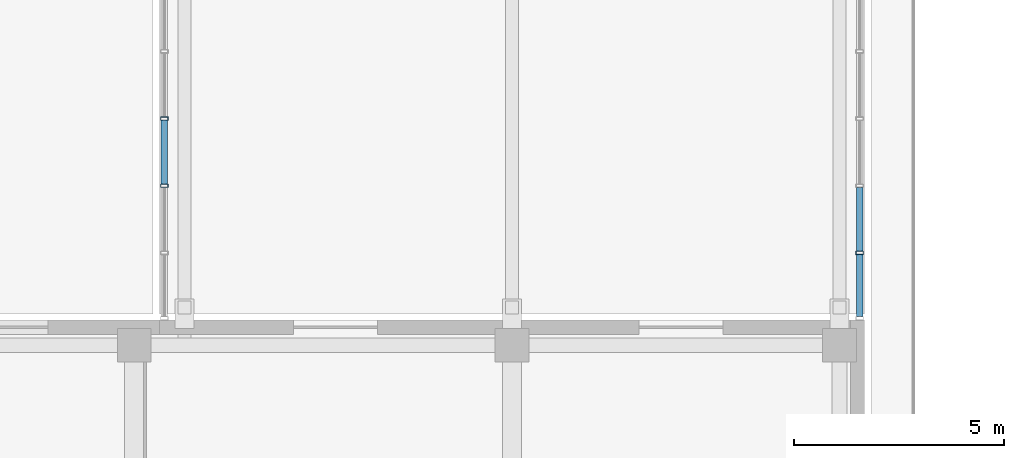
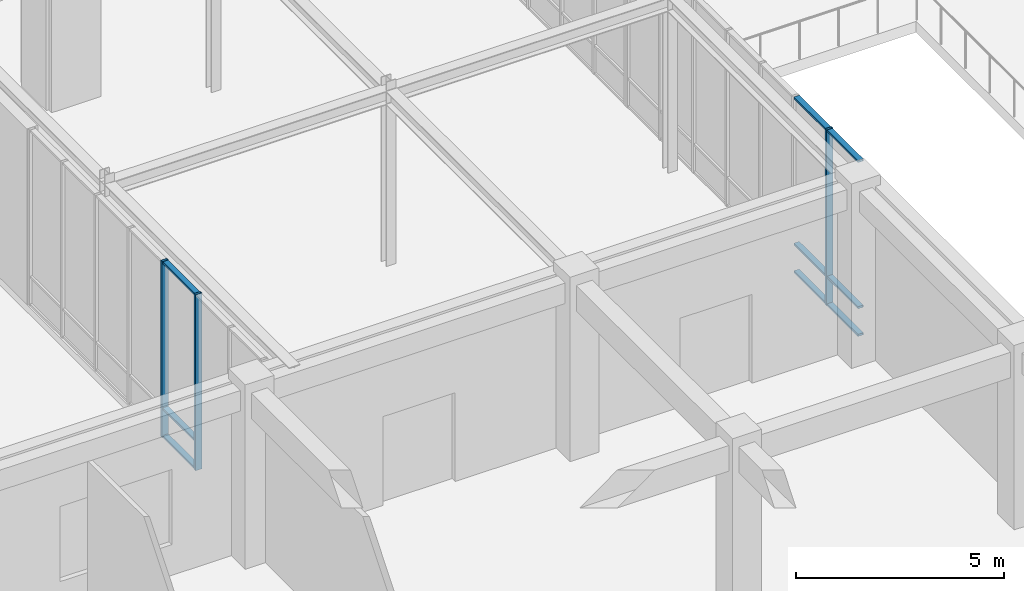
# One storey, part 16 of 122: 12 members, 2 elements without a shape of their own.
"""IFC4 building model written with IfcOpenShell, lengths in metres."""

from ifc_helpers import new_model, si_unit, direction, frame, origin, origin_2d, place, context, subcontext, project, spatial, hollow_rectangle, extrude, material, layer, layer_set, material_profile, profile_set, type_object, element, aggregate, save


model = new_model("IFC4")

# Units and contexts
model_context = context("Model", 3, precision=1e-05, world=origin(), true_north=direction((0.0, 1.0)))
body_context = subcontext(model_context, "Body", "Model", "MODEL_VIEW")
ifc_project = project(units=[si_unit("LENGTHUNIT", "METRE"), si_unit("AREAUNIT", "SQUARE_METRE"), si_unit("VOLUMEUNIT", "CUBIC_METRE"), si_unit("PLANEANGLEUNIT", "RADIAN"), si_unit("MASSUNIT", "GRAM", prefix="KILO")], contexts=[model_context])

# Site, building, storey
site_placement = place(None, origin())
site = spatial("IfcSite", under=ifc_project, at=site_placement, CompositionType="ELEMENT")
building_placement = place(site_placement, origin())
building = spatial("IfcBuilding", under=site, at=building_placement, Name="Zayran Congress Hotel", CompositionType="ELEMENT")
storey_placement = place(building_placement, origin())
storey = spatial("IfcBuildingStorey", under=building, at=storey_placement, Name="L00", CompositionType="ELEMENT", Elevation=0.0)

# Curtain wall, members
ifc_material_1 = material(Name="Anodised aluminium and low-E insulated glass", Category="aluminium")
ifc_layer = layer(ifc_material_1, 0.179931640625)
ifc_layer_set = layer_set([ifc_layer], Name="Anodised aluminium and low-E insulated glass")
curtain_wall_type = type_object("IfcCurtainWallType", Name="CW-BR2-L00-CW-BR2-11200-5150", PredefinedType="USERDEFINED", material=ifc_layer_set)
curtain_wall_1_placement = place(storey_placement, origin())
curtain_wall_1 = element("IfcCurtainWall", 1, at=curtain_wall_1_placement, inside=storey, type_object=curtain_wall_type, Name="CW-BR2W-L00-0", ObjectType="CURTAIN WALL", PredefinedType="USERDEFINED")
ifc_material_2 = material(Name="Anodised aluminium framing", Category="aluminium")
ifc_material_profile_1 = material_profile(ifc_material_2, hollow_rectangle(XDim=0.080078125, YDim=0.179931640625, WallThickness=0.0048828125, at=origin_2d()), Name="RHS 180x80x5")
ifc_profile_set_1 = profile_set([ifc_material_profile_1], Name="Anodised aluminium framing")
member_type_1 = type_object("IfcMemberType", Name="TP-CWM-01", PredefinedType="MULLION", material=ifc_profile_set_1)
member_1_placement = place(storey_placement, frame((75.719970703125, 38.800048828125, 0.0), z_axis=(0.0, 0.0, 1.0), x_axis=(0.0, 1.0, 0.0)))
member_1 = element("IfcMember", 2, at=member_1_placement, type_object=member_type_1, Name="CW-BR2W-L00-0-M04", PredefinedType="MULLION", context=body_context, shape_type="SweptSolid", body=[
    extrude(hollow_rectangle(XDim=0.080078125, YDim=0.179931640625, WallThickness=0.0048828125, at=origin_2d()), origin(), (0.0, 0.0, 1.0), 5.14990234375),
])
member_2_placement = place(storey_placement, frame((75.719970703125, 37.199951171875, 0.0), z_axis=(0.0, 0.0, 1.0), x_axis=(0.0, 1.0, 0.0)))
member_2 = element("IfcMember", 3, at=member_2_placement, type_object=member_type_1, Name="CW-BR2W-L00-0-M05", PredefinedType="MULLION", context=body_context, shape_type="SweptSolid", body=[
    extrude(hollow_rectangle(XDim=0.080078125, YDim=0.179931640625, WallThickness=0.0048828125, at=origin_2d()), origin(), (0.0, 0.0, 1.0), 5.14990234375),
])

# Curtain wall, member
curtain_wall_2_placement = place(storey_placement, origin())
curtain_wall_2 = element("IfcCurtainWall", 4, at=curtain_wall_2_placement, inside=storey, type_object=curtain_wall_type, Name="CW-BR2E-L00-0", ObjectType="CURTAIN WALL", PredefinedType="USERDEFINED")
member_3_placement = place(storey_placement, frame((92.280029296875, 35.60009765625, 0.0), z_axis=(0.0, 0.0, 1.0), x_axis=(0.0, 1.0, 0.0)))
member_3 = element("IfcMember", 5, at=member_3_placement, type_object=member_type_1, Name="CW-BR2E-L00-0-M01", PredefinedType="MULLION", context=body_context, shape_type="SweptSolid", body=[
    extrude(hollow_rectangle(XDim=0.080078125, YDim=0.179931640625, WallThickness=0.0048828125, at=origin_2d()), origin(), (0.0, 0.0, 1.0), 5.14990234375),
])

# Member
ifc_material_profile_2 = material_profile(ifc_material_2, hollow_rectangle(XDim=0.06005859375, YDim=0.14990234375, WallThickness=0.00390625, at=origin_2d()), Name="RHS 150x60x4")
ifc_profile_set_2 = profile_set([ifc_material_profile_2], Name="Anodised aluminium framing")
member_type_2 = type_object("IfcMemberType", Name="TP-CWT-01", PredefinedType="USERDEFINED", material=ifc_profile_set_2)
member_4_placement = place(storey_placement, frame((75.719970703125, 38.760009765625, 0.030029296875), z_axis=(0.0, -1.0, 0.0), x_axis=(0.0, 0.0, 1.0)))
member_4 = element("IfcMember", 6, at=member_4_placement, type_object=member_type_2, Name="CW-BR2W-L00-0-T04-0", ObjectType="TRANSOM", PredefinedType="USERDEFINED", context=body_context, shape_type="SweptSolid", body=[
    extrude(hollow_rectangle(XDim=0.06005859375, YDim=0.14990234375, WallThickness=0.00390625, at=origin_2d()), origin(), (0.0, 0.0, 1.0), 1.52001953125),
])

member_5_placement = place(storey_placement, frame((75.719970703125, 38.760009765625, 0.840087890625), z_axis=(0.0, -1.0, 0.0), x_axis=(0.0, 0.0, 1.0)))
member_5 = element("IfcMember", 7, at=member_5_placement, type_object=member_type_2, Name="CW-BR2W-L00-0-T04-1", ObjectType="TRANSOM", PredefinedType="USERDEFINED", context=body_context, shape_type="SweptSolid", body=[
    extrude(hollow_rectangle(XDim=0.06005859375, YDim=0.14990234375, WallThickness=0.00390625, at=origin_2d()), origin(), (0.0, 0.0, 1.0), 1.52001953125),
])

member_6_placement = place(storey_placement, frame((75.719970703125, 38.760009765625, 5.1201171875), z_axis=(0.0, -1.0, 0.0), x_axis=(0.0, 0.0, 1.0)))
member_6 = element("IfcMember", 8, at=member_6_placement, type_object=member_type_2, Name="CW-BR2W-L00-0-T04-2", ObjectType="TRANSOM", PredefinedType="USERDEFINED", context=body_context, shape_type="SweptSolid", body=[
    extrude(hollow_rectangle(XDim=0.06005859375, YDim=0.14990234375, WallThickness=0.00390625, at=origin_2d()), origin(), (0.0, 0.0, 1.0), 1.52001953125),
])

aggregate(curtain_wall_1, [member_1, member_2, member_4, member_5, member_6])

member_7_placement = place(storey_placement, frame((92.280029296875, 34.080078125, 0.030029296875), z_axis=(0.0, 1.0, 0.0), x_axis=(0.0, 0.0, 1.0)))
member_7 = element("IfcMember", 9, at=member_7_placement, type_object=member_type_2, Name="CW-BR2E-L00-0-T00-0", ObjectType="TRANSOM", PredefinedType="USERDEFINED", context=body_context, shape_type="SweptSolid", body=[
    extrude(hollow_rectangle(XDim=0.06005859375, YDim=0.14990234375, WallThickness=0.00390625, at=origin_2d()), origin(), (0.0, 0.0, 1.0), 1.47998046875),
])

member_8_placement = place(storey_placement, frame((92.280029296875, 34.080078125, 0.840087890625), z_axis=(0.0, 1.0, 0.0), x_axis=(0.0, 0.0, 1.0)))
member_8 = element("IfcMember", 10, at=member_8_placement, type_object=member_type_2, Name="CW-BR2E-L00-0-T00-1", ObjectType="TRANSOM", PredefinedType="USERDEFINED", context=body_context, shape_type="SweptSolid", body=[
    extrude(hollow_rectangle(XDim=0.06005859375, YDim=0.14990234375, WallThickness=0.00390625, at=origin_2d()), origin(), (0.0, 0.0, 1.0), 1.47998046875),
])

member_9_placement = place(storey_placement, frame((92.280029296875, 34.080078125, 5.1201171875), z_axis=(0.0, 1.0, 0.0), x_axis=(0.0, 0.0, 1.0)))
member_9 = element("IfcMember", 11, at=member_9_placement, type_object=member_type_2, Name="CW-BR2E-L00-0-T00-2", ObjectType="TRANSOM", PredefinedType="USERDEFINED", context=body_context, shape_type="SweptSolid", body=[
    extrude(hollow_rectangle(XDim=0.06005859375, YDim=0.14990234375, WallThickness=0.00390625, at=origin_2d()), origin(), (0.0, 0.0, 1.0), 1.47998046875),
])

member_10_placement = place(storey_placement, frame((92.280029296875, 35.639892578125, 0.030029296875), z_axis=(0.0, 1.0, 0.0), x_axis=(0.0, 0.0, 1.0)))
member_10 = element("IfcMember", 12, at=member_10_placement, type_object=member_type_2, Name="CW-BR2E-L00-0-T01-0", ObjectType="TRANSOM", PredefinedType="USERDEFINED", context=body_context, shape_type="SweptSolid", body=[
    extrude(hollow_rectangle(XDim=0.06005859375, YDim=0.14990234375, WallThickness=0.00390625, at=origin_2d()), origin(), (0.0, 0.0, 1.0), 1.52001953125),
])

member_11_placement = place(storey_placement, frame((92.280029296875, 35.639892578125, 0.840087890625), z_axis=(0.0, 1.0, 0.0), x_axis=(0.0, 0.0, 1.0)))
member_11 = element("IfcMember", 13, at=member_11_placement, type_object=member_type_2, Name="CW-BR2E-L00-0-T01-1", ObjectType="TRANSOM", PredefinedType="USERDEFINED", context=body_context, shape_type="SweptSolid", body=[
    extrude(hollow_rectangle(XDim=0.06005859375, YDim=0.14990234375, WallThickness=0.00390625, at=origin_2d()), origin(), (0.0, 0.0, 1.0), 1.52001953125),
])

member_12_placement = place(storey_placement, frame((92.280029296875, 35.639892578125, 5.1201171875), z_axis=(0.0, 1.0, 0.0), x_axis=(0.0, 0.0, 1.0)))
member_12 = element("IfcMember", 14, at=member_12_placement, type_object=member_type_2, Name="CW-BR2E-L00-0-T01-2", ObjectType="TRANSOM", PredefinedType="USERDEFINED", context=body_context, shape_type="SweptSolid", body=[
    extrude(hollow_rectangle(XDim=0.06005859375, YDim=0.14990234375, WallThickness=0.00390625, at=origin_2d()), origin(), (0.0, 0.0, 1.0), 1.52001953125),
])

aggregate(curtain_wall_2, [member_3, member_7, member_8, member_9, member_10, member_11, member_12])

save(model, "model.ifc")
